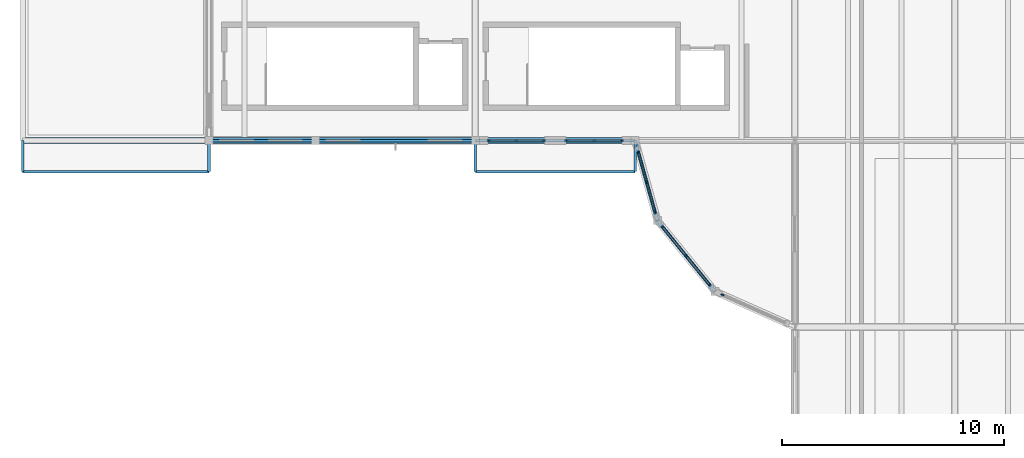
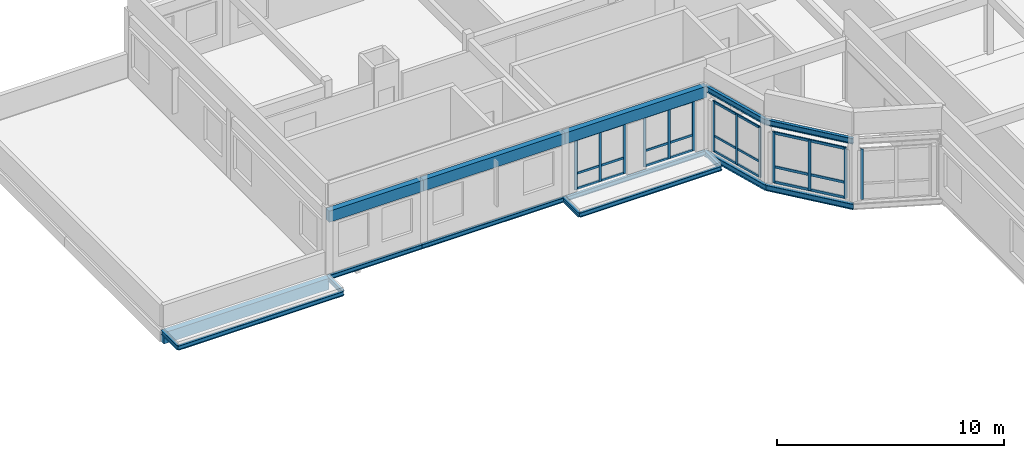
# One storey, part 9 of 21: 25 members, 17 beams, 5 elements without a shape of their own.
"""IFC4 building model written with IfcOpenShell, lengths in metres."""

import ifcopenshell
import ifcopenshell.guid

model = None  # the IFC model being written
_history = None  # IfcOwnerHistory: only IFC2X3 demands one
_inside = {}  # id of a spatial element -> (the spatial element, [elements in it])
_under = {}  # id of a project, library or spatial element -> (it, [spatial elements below it])
_declared = {}  # id of a project -> (the project, [libraries it declares])
_typed = {}  # id of a type object -> (the type object, [elements of that type])
_made_of = {}  # id of a material, layer set ... -> (it, [elements and type objects made of it])


def new_model(schema):
    """Start an empty IFC model of exactly this schema.

    Asked for "IFC4X3", IfcOpenShell would pick the latest addendum, in which some entities
    have other attributes; the version numbers below select the first issue.
    IFC2X3 requires an IfcOwnerHistory on every rooted entity: one is made here for all.
    """
    global model, _history
    if schema == "IFC4X3":
        model = ifcopenshell.file(schema_version=(4, 3, 0, 0))
    else:
        model = ifcopenshell.file(schema=schema)
    _inside.clear()
    _under.clear()
    _declared.clear()
    _typed.clear()
    _made_of.clear()
    _history = None
    if model.schema == "IFC2X3":
        org = make("IfcOrganization", Name="unknown")
        user = make(
            "IfcPersonAndOrganization",
            ThePerson=make("IfcPerson", FamilyName="unknown"),
            TheOrganization=org,
        )
        app = make(
            "IfcApplication",
            ApplicationDeveloper=org,
            Version="unknown",
            ApplicationFullName="unknown",
            ApplicationIdentifier="unknown",
        )
        _history = make(
            "IfcOwnerHistory",
            OwningUser=user,
            OwningApplication=app,
            ChangeAction="ADDED",
            CreationDate=0,
        )
    return model


def make(cls, **values):
    """One entity of the class cls with the attributes given. An attribute that is None is left unset."""
    return model.create_entity(
        cls, **{name: value for name, value in values.items() if value is not None}
    )


def rooted(cls, **values):
    """An entity with a GlobalId (a new one), such as an element, a storey or a relation."""
    return make(cls, GlobalId=ifcopenshell.guid.new(), OwnerHistory=_history, **values)


def si_unit(unit_type, name, prefix=None):
    """IfcSIUnit, for example si_unit("LENGTHUNIT", "METRE", prefix="MILLI")."""
    return make("IfcSIUnit", UnitType=unit_type, Prefix=prefix, Name=name)


def assignment(units):
    """IfcUnitAssignment: the units of a project."""
    return None if units is None else make("IfcUnitAssignment", Units=units)


def point(xyz):
    """IfcCartesianPoint."""
    return None if xyz is None else make("IfcCartesianPoint", Coordinates=xyz)


def direction(xyz):
    """IfcDirection."""
    return None if xyz is None else make("IfcDirection", DirectionRatios=xyz)


def frame(location, z_axis=None, x_axis=None):
    """IfcAxis2Placement3D, a coordinate frame: its origin and axes. An axis left out is left unset."""
    return make(
        "IfcAxis2Placement3D",
        Location=point(location),
        Axis=direction(z_axis),
        RefDirection=direction(x_axis),
    )


def frame_2d(location, x_axis=None):
    """IfcAxis2Placement2D, a coordinate frame in the plane: its origin and x axis."""
    return make(
        "IfcAxis2Placement2D", Location=point(location), RefDirection=direction(x_axis)
    )


def origin():
    """The frame at (0, 0, 0) with its axes left unset."""
    return frame((0.0, 0.0, 0.0))


def origin_2d():
    """The frame at (0, 0) in the plane with its x axis left unset."""
    return frame_2d((0.0, 0.0))


def place(relative_to, where):
    """IfcLocalPlacement: puts the frame where relative to a parent placement (None: the world)."""
    return make(
        "IfcLocalPlacement", PlacementRelTo=relative_to, RelativePlacement=where
    )


def context(
    kind, dimensions, precision=None, world=None, true_north=None, identifier=None
):
    """IfcGeometricRepresentationContext, for example the 3D "Model" context."""
    return make(
        "IfcGeometricRepresentationContext",
        ContextIdentifier=identifier,
        ContextType=kind,
        CoordinateSpaceDimension=dimensions,
        Precision=precision,
        WorldCoordinateSystem=world,
        TrueNorth=true_north,
    )


def subcontext(parent, identifier, kind, view, scale=None):
    """IfcGeometricRepresentationSubContext, for example "Body" below "Model"."""
    return make(
        "IfcGeometricRepresentationSubContext",
        ContextIdentifier=identifier,
        ContextType=kind,
        ParentContext=parent,
        TargetScale=scale,
        TargetView=view,
    )


def project(units=None, contexts=None):
    """IfcProject with its units and contexts."""
    return rooted(
        "IfcProject",
        Name="project",
        RepresentationContexts=contexts,
        UnitsInContext=assignment(units),
    )


def spatial(cls, under=None, at=None, **own):
    """A site, building, storey or space (cls), placed at a placement, below another one or the project."""
    s = rooted(cls, ObjectPlacement=at, **own)
    if under is not None:
        _under.setdefault(under.id(), (under, []))[1].append(s)
    return s


def profile(cls, at=None, kind="AREA", **sizes):
    """A parametric profile (cls). Its sizes go by their IFC names, for example OverallWidth=200.0."""
    return make(cls, ProfileType=kind, Position=at, **sizes)


def rectangle(**sizes):
    """IfcRectangleProfileDef."""
    return profile("IfcRectangleProfileDef", **sizes)


def i_section(**sizes):
    """IfcIShapeProfileDef."""
    return profile("IfcIShapeProfileDef", **sizes)


def extrude(swept, where, along, depth):
    """IfcExtrudedAreaSolid: the profile swept, set in the frame where, extruded along a direction by depth."""
    return make(
        "IfcExtrudedAreaSolid",
        SweptArea=swept,
        Position=where,
        ExtrudedDirection=direction(along),
        Depth=depth,
    )


def shape(context_of_items, identifier, shape_type, items):
    """IfcShapeRepresentation: the items that make up one representation, for example the "Body"."""
    return make(
        "IfcShapeRepresentation",
        ContextOfItems=context_of_items,
        RepresentationIdentifier=identifier,
        RepresentationType=shape_type,
        Items=items,
    )


def material(Name=None, Category=None):
    """IfcMaterial."""
    return make("IfcMaterial", Name=Name, Category=Category)


def material_profile(
    of_material, cross_section, Name=None, Category=None, Priority=None
):
    """IfcMaterialProfile: a cross section and its material."""
    return make(
        "IfcMaterialProfile",
        Name=Name,
        Material=of_material,
        Profile=cross_section,
        Priority=Priority,
        Category=Category,
    )


def profile_set(profiles, Name=None, composite=None):
    """IfcMaterialProfileSet."""
    return make(
        "IfcMaterialProfileSet",
        Name=Name,
        MaterialProfiles=profiles,
        CompositeProfile=composite,
    )


def made_of(thing, what):
    """Note that an element or type object is made of a material, layer set ...; save() writes the relation."""
    if what is not None:
        _made_of.setdefault(what.id(), (what, []))[1].append(thing)
    return thing


def type_object(cls, material=None, **own):
    """A type object (cls), such as IfcWallType, which elements share."""
    return made_of(rooted(cls, **own), material)


def element(
    cls,
    number,
    at=None,
    inside=None,
    cuts=None,
    type_object=None,
    material=None,
    context=None,
    identifier="Body",
    shape_type=None,
    held_by="IfcProductDefinitionShape",
    body=None,
    shapes=None,
    **own,
):
    """One element of the class cls, such as IfcWall. Its Tag is "e" and its number.

    at: its placement. inside: the storey or other place that contains it. cuts: it is an
    opening in that element (IfcRelVoidsElement). A single representation is given by context,
    identifier, shape_type and body (its items); several are given by shapes. held_by: the class
    of the entity that holds the representations. save() writes the other relations.
    """
    e = rooted(cls, Tag="e%d" % number, ObjectPlacement=at, **own)
    if body is not None:
        shapes = [shape(context, identifier, shape_type, body)]
    if shapes is not None:
        e.Representation = make(held_by, Representations=shapes)
    if inside is not None:
        _inside.setdefault(inside.id(), (inside, []))[1].append(e)
    if cuts is not None:
        rooted(
            "IfcRelVoidsElement", RelatingBuildingElement=cuts, RelatedOpeningElement=e
        )
    if type_object is not None:
        _typed.setdefault(type_object.id(), (type_object, []))[1].append(e)
    return made_of(e, material)


def aggregate(whole, parts):
    """IfcRelAggregates: a whole, such as a stair, and the parts it consists of."""
    return rooted("IfcRelAggregates", RelatingObject=whole, RelatedObjects=parts)


def save(model, path):
    """Write the relations noted so far, then the file.

    IfcRelAggregates (storeys below a building ...), IfcRelContainedInSpatialStructure (elements
    in a storey), IfcRelDefinesByType, IfcRelAssociatesMaterial and IfcRelDeclares: one each for
    every whole, place, type object, material and project.
    """
    for whole, parts in _under.values():
        aggregate(whole, parts)
    for where, things in _inside.values():
        rooted(
            "IfcRelContainedInSpatialStructure",
            RelatedElements=things,
            RelatingStructure=where,
        )
    for kind, things in _typed.values():
        rooted("IfcRelDefinesByType", RelatedObjects=things, RelatingType=kind)
    for what, things in _made_of.values():
        rooted("IfcRelAssociatesMaterial", RelatedObjects=things, RelatingMaterial=what)
    for by, libraries in _declared.values():
        rooted("IfcRelDeclares", RelatingContext=by, RelatedDefinitions=libraries)
    model.write(path)


model = new_model("IFC4")

# Units and contexts
model_context = context("Model", 3, precision=1e-05, world=origin(), true_north=direction((0.0, 1.0)))
body_context = subcontext(model_context, "Body", "Model", "MODEL_VIEW")
ifc_project = project(units=[si_unit("LENGTHUNIT", "METRE"), si_unit("AREAUNIT", "SQUARE_METRE"), si_unit("VOLUMEUNIT", "CUBIC_METRE"), si_unit("PLANEANGLEUNIT", "RADIAN"), si_unit("MASSUNIT", "GRAM", prefix="KILO")], contexts=[model_context])

# Site, building, storey
site_placement = place(None, origin())
site = spatial("IfcSite", under=ifc_project, at=site_placement, CompositionType="ELEMENT")
building_placement = place(site_placement, origin())
building = spatial("IfcBuilding", under=site, at=building_placement, Name="Kahlenmark Community Centre", CompositionType="ELEMENT")
storey_placement = place(building_placement, frame((0.0, 0.0, 21.60009765625)))
storey = spatial("IfcBuildingStorey", under=building, at=storey_placement, Name="L05", CompositionType="ELEMENT", Elevation=21.60009765625)

# Beams
ifc_material_1 = material(Name="Glulam GL32h", Category="wood")
ifc_material_profile_1 = material_profile(ifc_material_1, rectangle(XDim=0.280029296875, YDim=0.60009765625, at=origin_2d()), Name="GL32h 280x600")
ifc_profile_set_1 = profile_set([ifc_material_profile_1], Name="Glulam GL32h")
beam_type_1 = type_object("IfcBeamType", Name="BT-BEAM-GL32h280x600", PredefinedType="BEAM", material=ifc_profile_set_1)
beam_1_placement = place(storey_placement, frame((37.60009765625, 97.60009765625, -0.580078125), z_axis=(1.0, 0.0, 0.0), x_axis=(0.0, 1.0, 0.0)))
element("IfcBeam", 1, at=beam_1_placement, inside=storey, type_object=beam_type_1, Name="L05 beam BG-RF600", PredefinedType="BEAM", context=body_context, shape_type="SweptSolid", body=[
    extrude(rectangle(XDim=0.280029296875, YDim=0.60009765625, at=origin_2d()), origin(), (0.0, 0.0, 1.0), 8.39990234375),
])
beam_2_placement = place(storey_placement, frame((46.0, 97.60009765625, 3.02001953125), z_axis=(1.0, 0.0, 0.0), x_axis=(0.0, 1.0, 0.0)))
element("IfcBeam", 2, at=beam_2_placement, inside=storey, type_object=beam_type_1, Name="L05 beam BG-RF600", PredefinedType="BEAM", context=body_context, shape_type="SweptSolid", body=[
    extrude(rectangle(XDim=0.280029296875, YDim=0.60009765625, at=origin_2d()), origin(), (0.0, 0.0, 1.0), 4.800048828125),
])
for number, where, z_axis, x_axis, name in (
    (3, (50.800048828125, 97.60009765625, 3.02001953125), (1.0, 0.0, 0.0), (0.0, 1.0, 0.0), "L05 beam BG-RF600"),
    (4, (58.0, 97.60009765625, 3.02001953125), (1.0, 0.0, 0.0), (0.0, 1.0, 0.0), "L05 beam BG-RF600"),
):
    element("IfcBeam", number, at=place(storey_placement, frame(where, z_axis=z_axis, x_axis=x_axis)), inside=storey, type_object=beam_type_1, Name=name, PredefinedType="BEAM", context=body_context, shape_type="SweptSolid", body=[
        extrude(rectangle(XDim=0.280029296875, YDim=0.60009765625, at=origin_2d()), origin(), (0.0, 0.0, 1.0), 7.199951171875),
    ])
ifc_material_2 = material(Name="Steel S355", Category="steel")
ifc_material_profile_2 = material_profile(ifc_material_2, i_section(OverallWidth=0.1201171875, OverallDepth=0.239990234375, WebThickness=0.006103515625, FlangeThickness=0.009765625, at=origin_2d()), Name="IPE 240")
ifc_profile_set_2 = profile_set([ifc_material_profile_2], Name="Steel S355")
beam_type_2 = type_object("IfcBeamType", Name="BT-BEAM-IPE240", PredefinedType="BEAM", material=ifc_profile_set_2)
for number, where, z_axis, x_axis, name in (
    (5, (37.60009765625, 96.199951171875, -0.300048828125), (0.0, 1.0, 0.0), (-1.0, 0.0, 0.0), "L05 beam BG-IPE240"),
    (6, (46.0, 96.199951171875, -0.300048828125), (0.0, 1.0, 0.0), (-1.0, 0.0, 0.0), "L05 beam BG-IPE240"),
    (7, (58.0, 96.199951171875, -0.300048828125), (0.0, 1.0, 0.0), (-1.0, 0.0, 0.0), "L05 beam BG-IPE240"),
    (8, (65.199951171875, 96.199951171875, -0.320068359375), (0.0, 1.0, 0.0), (-1.0, 0.0, 0.0), "L05 beam BG-IPE240"),
):
    element("IfcBeam", number, at=place(storey_placement, frame(where, z_axis=z_axis, x_axis=x_axis)), inside=storey, type_object=beam_type_2, Name=name, PredefinedType="BEAM", context=body_context, shape_type="SweptSolid", body=[
        extrude(i_section(OverallWidth=0.1201171875, OverallDepth=0.239990234375, WebThickness=0.006103515625, FlangeThickness=0.009765625, at=origin_2d()), origin(), (0.0, 0.0, 1.0), 1.400146484375),
    ])
ifc_material_profile_3 = material_profile(ifc_material_2, i_section(OverallWidth=0.1201171875, OverallDepth=0.239990234375, WebThickness=0.006103515625, FlangeThickness=0.009765625, at=origin_2d()), Name="IPE 240")
ifc_profile_set_3 = profile_set([ifc_material_profile_3], Name="Steel S355")
beam_type_3 = type_object("IfcBeamType", Name="BT-SPANDREL-IPE240", PredefinedType="SPANDREL", material=ifc_profile_set_3)
beam_3_placement = place(storey_placement, frame((46.0, 97.60009765625, -0.320068359375), z_axis=(1.0, 0.0, 0.0), x_axis=(0.0, 1.0, 0.0)))
element("IfcBeam", 9, at=beam_3_placement, inside=storey, type_object=beam_type_3, Name="L05 spandrel SP-IPE240", PredefinedType="SPANDREL", context=body_context, shape_type="SweptSolid", body=[
    extrude(i_section(OverallWidth=0.1201171875, OverallDepth=0.239990234375, WebThickness=0.006103515625, FlangeThickness=0.009765625, at=origin_2d()), origin(), (0.0, 0.0, 1.0), 4.800048828125),
])
for number, where, z_axis, x_axis, name in (
    (10, (50.800048828125, 97.60009765625, -0.320068359375), (1.0, 0.0, 0.0), (0.0, 1.0, 0.0), "L05 spandrel SP-IPE240"),
    (11, (58.0, 97.60009765625, -0.320068359375), (1.0, 0.0, 0.0), (0.0, 1.0, 0.0), "L05 spandrel SP-IPE240"),
):
    element("IfcBeam", number, at=place(storey_placement, frame(where, z_axis=z_axis, x_axis=x_axis)), inside=storey, type_object=beam_type_3, Name=name, PredefinedType="SPANDREL", context=body_context, shape_type="SweptSolid", body=[
        extrude(i_section(OverallWidth=0.1201171875, OverallDepth=0.239990234375, WebThickness=0.006103515625, FlangeThickness=0.009765625, at=origin_2d()), origin(), (0.0, 0.0, 1.0), 7.199951171875),
    ])
beam_4_placement = place(storey_placement, frame((37.60009765625, 96.199951171875, -0.300048828125), z_axis=(1.0, 0.0, 0.0), x_axis=(0.0, 1.0, 0.0)))
element("IfcBeam", 12, at=beam_4_placement, inside=storey, type_object=beam_type_3, Name="L05 spandrel SP-IPE240", PredefinedType="SPANDREL", context=body_context, shape_type="SweptSolid", body=[
    extrude(i_section(OverallWidth=0.1201171875, OverallDepth=0.239990234375, WebThickness=0.006103515625, FlangeThickness=0.009765625, at=origin_2d()), origin(), (0.0, 0.0, 1.0), 8.39990234375),
])
beam_5_placement = place(storey_placement, frame((58.0, 96.199951171875, -0.300048828125), z_axis=(1.0, 0.0, 0.0), x_axis=(0.0, 1.0, 0.0)))
element("IfcBeam", 13, at=beam_5_placement, inside=storey, type_object=beam_type_3, Name="L05 spandrel SP-IPE240", PredefinedType="SPANDREL", context=body_context, shape_type="SweptSolid", body=[
    extrude(i_section(OverallWidth=0.1201171875, OverallDepth=0.239990234375, WebThickness=0.006103515625, FlangeThickness=0.009765625, at=origin_2d()), origin(), (0.0, 0.0, 1.0), 7.199951171875),
])
ifc_material_profile_4 = material_profile(ifc_material_2, i_section(OverallWidth=0.14990234375, OverallDepth=0.300048828125, WebThickness=0.007080078125, FlangeThickness=0.0107421875, at=origin_2d()), Name="IPE 300")
ifc_profile_set_4 = profile_set([ifc_material_profile_4], Name="Steel S355")
beam_type_4 = type_object("IfcBeamType", Name="BT-SPANDREL-IPE300", PredefinedType="SPANDREL", material=ifc_profile_set_4)
beam_6_placement = place(storey_placement, frame((65.199951171875, 97.60009765625, -0.35009765625), z_axis=(0.267637123724, -0.963519781844, 0.0), x_axis=(0.963519781844, 0.267637123724, 0.0)))
element("IfcBeam", 14, at=beam_6_placement, inside=storey, type_object=beam_type_4, Name="L05 spandrel SP-IPE300", PredefinedType="SPANDREL", context=body_context, shape_type="SweptSolid", body=[
    extrude(i_section(OverallWidth=0.14990234375, OverallDepth=0.300048828125, WebThickness=0.007080078125, FlangeThickness=0.0107421875, at=origin_2d()), origin(), (0.0, 0.0, 1.0), 3.736328125),
])
beam_7_placement = place(storey_placement, frame((66.199951171875, 94.0, -0.35009765625), z_axis=(0.630612687458, -0.776097699015, 0.0), x_axis=(0.776097699015, 0.630612687458, 0.0)))
element("IfcBeam", 15, at=beam_7_placement, inside=storey, type_object=beam_type_4, Name="L05 spandrel SP-IPE300", PredefinedType="SPANDREL", context=body_context, shape_type="SweptSolid", body=[
    extrude(i_section(OverallWidth=0.14990234375, OverallDepth=0.300048828125, WebThickness=0.007080078125, FlangeThickness=0.0107421875, at=origin_2d()), origin(), (0.0, 0.0, 1.0), 4.123046875),
])
beam_8_placement = place(storey_placement, frame((65.199951171875, 97.60009765625, 3.169921875), z_axis=(0.267637123724, -0.963519781844, 0.0), x_axis=(0.963519781844, 0.267637123724, 0.0)))
element("IfcBeam", 16, at=beam_8_placement, inside=storey, type_object=beam_type_4, Name="L05 spandrel SP-IPE300", PredefinedType="SPANDREL", context=body_context, shape_type="SweptSolid", body=[
    extrude(i_section(OverallWidth=0.14990234375, OverallDepth=0.300048828125, WebThickness=0.007080078125, FlangeThickness=0.0107421875, at=origin_2d()), origin(), (0.0, 0.0, 1.0), 3.736328125),
])
beam_9_placement = place(storey_placement, frame((66.199951171875, 94.0, 3.169921875), z_axis=(0.630612687458, -0.776097699015, 0.0), x_axis=(0.776097699015, 0.630612687458, 0.0)))
element("IfcBeam", 17, at=beam_9_placement, inside=storey, type_object=beam_type_4, Name="L05 spandrel SP-IPE300", PredefinedType="SPANDREL", context=body_context, shape_type="SweptSolid", body=[
    extrude(i_section(OverallWidth=0.14990234375, OverallDepth=0.300048828125, WebThickness=0.007080078125, FlangeThickness=0.0107421875, at=origin_2d()), origin(), (0.0, 0.0, 1.0), 4.123046875),
])

# Curtain wall, members
ifc_material_3 = material(Name="Anodised aluminium unitised curtain wall", Category="aluminium")
curtain_wall_type_1 = type_object("IfcCurtainWallType", Name="CWT-UNIT-254X271", PredefinedType="USERDEFINED", material=ifc_material_3)
curtain_wall_1_placement = place(storey_placement, origin())
curtain_wall_1 = element("IfcCurtainWall", 18, at=curtain_wall_1_placement, inside=storey, type_object=curtain_wall_type_1, Name="Unitised curtain wall CW-139", ObjectType="UNITISED CURTAIN WALL", PredefinedType="USERDEFINED")
ifc_material_4 = material(Name="Anodised aluminium 6063-T6", Category="aluminium")
ifc_material_profile_5 = material_profile(ifc_material_4, rectangle(XDim=0.06005859375, YDim=0.139892578125, at=origin_2d()), Name="ALU MULLION 60x140")
ifc_profile_set_5 = profile_set([ifc_material_profile_5], Name="Anodised aluminium 6063-T6")
member_type_1 = type_object("IfcMemberType", Name="MT-MUL-140", PredefinedType="MULLION", material=ifc_profile_set_5)
member_1_placement = place(storey_placement, frame((58.610107421875, 97.60009765625, 0.0), z_axis=(0.0, 0.0, 1.0), x_axis=(0.0, 1.0, 0.0)))
member_1 = element("IfcMember", 19, at=member_1_placement, type_object=member_type_1, Name="CW-139 mullion 1", PredefinedType="MULLION", context=body_context, shape_type="SweptSolid", body=[
    extrude(rectangle(XDim=0.06005859375, YDim=0.139892578125, at=origin_2d()), origin(), (0.0, 0.0, 1.0), 2.7099609375),
])
member_2_placement = place(storey_placement, frame((59.85009765625, 97.60009765625, 0.0), z_axis=(0.0, 0.0, 1.0), x_axis=(0.0, 1.0, 0.0)))
member_2 = element("IfcMember", 20, at=member_2_placement, type_object=member_type_1, Name="CW-139 mullion 2", PredefinedType="MULLION", context=body_context, shape_type="SweptSolid", body=[
    extrude(rectangle(XDim=0.06005859375, YDim=0.139892578125, at=origin_2d()), origin(), (0.0, 0.0, 1.0), 2.7099609375),
])
member_3_placement = place(storey_placement, frame((61.090087890625, 97.60009765625, 0.0), z_axis=(0.0, 0.0, 1.0), x_axis=(0.0, 1.0, 0.0)))
member_3 = element("IfcMember", 21, at=member_3_placement, type_object=member_type_1, Name="CW-139 mullion 3", PredefinedType="MULLION", context=body_context, shape_type="SweptSolid", body=[
    extrude(rectangle(XDim=0.06005859375, YDim=0.139892578125, at=origin_2d()), origin(), (0.0, 0.0, 1.0), 2.7099609375),
])

curtain_wall_2_placement = place(storey_placement, origin())
curtain_wall_2 = element("IfcCurtainWall", 22, at=curtain_wall_2_placement, inside=storey, type_object=curtain_wall_type_1, Name="Unitised curtain wall CW-140", ObjectType="UNITISED CURTAIN WALL", PredefinedType="USERDEFINED")
member_4_placement = place(storey_placement, frame((62.110107421875, 97.60009765625, 0.0), z_axis=(0.0, 0.0, 1.0), x_axis=(0.0, 1.0, 0.0)))
member_4 = element("IfcMember", 23, at=member_4_placement, type_object=member_type_1, Name="CW-140 mullion 1", PredefinedType="MULLION", context=body_context, shape_type="SweptSolid", body=[
    extrude(rectangle(XDim=0.06005859375, YDim=0.139892578125, at=origin_2d()), origin(), (0.0, 0.0, 1.0), 2.7099609375),
])
member_5_placement = place(storey_placement, frame((63.35009765625, 97.60009765625, 0.0), z_axis=(0.0, 0.0, 1.0), x_axis=(0.0, 1.0, 0.0)))
member_5 = element("IfcMember", 24, at=member_5_placement, type_object=member_type_1, Name="CW-140 mullion 2", PredefinedType="MULLION", context=body_context, shape_type="SweptSolid", body=[
    extrude(rectangle(XDim=0.06005859375, YDim=0.139892578125, at=origin_2d()), origin(), (0.0, 0.0, 1.0), 2.7099609375),
])
member_6_placement = place(storey_placement, frame((64.590087890625, 97.60009765625, 0.0), z_axis=(0.0, 0.0, 1.0), x_axis=(0.0, 1.0, 0.0)))
member_6 = element("IfcMember", 25, at=member_6_placement, type_object=member_type_1, Name="CW-140 mullion 3", PredefinedType="MULLION", context=body_context, shape_type="SweptSolid", body=[
    extrude(rectangle(XDim=0.06005859375, YDim=0.139892578125, at=origin_2d()), origin(), (0.0, 0.0, 1.0), 2.7099609375),
])

curtain_wall_type_2 = type_object("IfcCurtainWallType", Name="CWT-UNIT-290X271", PredefinedType="USERDEFINED", material=ifc_material_3)
curtain_wall_3_placement = place(storey_placement, origin())
curtain_wall_3 = element("IfcCurtainWall", 26, at=curtain_wall_3_placement, inside=storey, type_object=curtain_wall_type_2, Name="Unitised curtain wall CW-188", ObjectType="UNITISED CURTAIN WALL", PredefinedType="USERDEFINED")
member_7_placement = place(storey_placement, frame((65.341796875, 97.08935546875, 0.0), z_axis=(0.0, 0.0, 1.0), x_axis=(0.963515158188, 0.26765376878, 0.0)))
member_7 = element("IfcMember", 27, at=member_7_placement, type_object=member_type_1, Name="CW-188 mullion 1", PredefinedType="MULLION", context=body_context, shape_type="SweptSolid", body=[
    extrude(rectangle(XDim=0.06005859375, YDim=0.139892578125, at=origin_2d()), origin(), (0.0, 0.0, 1.0), 2.7099609375),
])
member_8_placement = place(storey_placement, frame((65.721435546875, 95.722900390625, 0.0), z_axis=(0.0, 0.0, 1.0), x_axis=(0.963515158188, 0.26765376878, 0.0)))
member_8 = element("IfcMember", 28, at=member_8_placement, type_object=member_type_1, Name="CW-188 mullion 2", PredefinedType="MULLION", context=body_context, shape_type="SweptSolid", body=[
    extrude(rectangle(XDim=0.06005859375, YDim=0.139892578125, at=origin_2d()), origin(), (0.0, 0.0, 1.0), 2.7099609375),
])
member_9_placement = place(storey_placement, frame((66.10107421875, 94.3564453125, 0.0), z_axis=(0.0, 0.0, 1.0), x_axis=(0.963515158188, 0.26765376878, 0.0)))
member_9 = element("IfcMember", 29, at=member_9_placement, type_object=member_type_1, Name="CW-188 mullion 3", PredefinedType="MULLION", context=body_context, shape_type="SweptSolid", body=[
    extrude(rectangle(XDim=0.06005859375, YDim=0.139892578125, at=origin_2d()), origin(), (0.0, 0.0, 1.0), 2.7099609375),
])

curtain_wall_type_3 = type_object("IfcCurtainWallType", Name="CWT-UNIT-344X271", PredefinedType="USERDEFINED", material=ifc_material_3)
curtain_wall_4_placement = place(storey_placement, origin())
curtain_wall_4 = element("IfcCurtainWall", 30, at=curtain_wall_4_placement, inside=storey, type_object=curtain_wall_type_3, Name="Unitised curtain wall CW-189", ObjectType="UNITISED CURTAIN WALL", PredefinedType="USERDEFINED")
member_10_placement = place(storey_placement, frame((66.433349609375, 93.712890625, 0.0), z_axis=(0.0, 0.0, 1.0), x_axis=(0.776109145231, 0.63059860029, 0.0)))
member_10 = element("IfcMember", 31, at=member_10_placement, type_object=member_type_1, Name="CW-189 mullion 1", PredefinedType="MULLION", context=body_context, shape_type="SweptSolid", body=[
    extrude(rectangle(XDim=0.06005859375, YDim=0.139892578125, at=origin_2d()), origin(), (0.0, 0.0, 1.0), 2.7099609375),
])
member_11_placement = place(storey_placement, frame((67.5, 92.39990234375, 0.0), z_axis=(0.0, 0.0, 1.0), x_axis=(0.776109145231, 0.63059860029, 0.0)))
member_11 = element("IfcMember", 32, at=member_11_placement, type_object=member_type_1, Name="CW-189 mullion 2", PredefinedType="MULLION", context=body_context, shape_type="SweptSolid", body=[
    extrude(rectangle(XDim=0.06005859375, YDim=0.139892578125, at=origin_2d()), origin(), (0.0, 0.0, 1.0), 2.7099609375),
])
member_12_placement = place(storey_placement, frame((68.566650390625, 91.087158203125, 0.0), z_axis=(0.0, 0.0, 1.0), x_axis=(0.776109145231, 0.63059860029, 0.0)))
member_12 = element("IfcMember", 33, at=member_12_placement, type_object=member_type_1, Name="CW-189 mullion 3", PredefinedType="MULLION", context=body_context, shape_type="SweptSolid", body=[
    extrude(rectangle(XDim=0.06005859375, YDim=0.139892578125, at=origin_2d()), origin(), (0.0, 0.0, 1.0), 2.7099609375),
])

# Curtain wall, member
curtain_wall_type_4 = type_object("IfcCurtainWallType", Name="CWT-UNIT-310X271", PredefinedType="USERDEFINED", material=ifc_material_3)
curtain_wall_5_placement = place(storey_placement, origin())
curtain_wall_5 = element("IfcCurtainWall", 34, at=curtain_wall_5_placement, inside=storey, type_object=curtain_wall_type_4, Name="Unitised curtain wall CW-190", ObjectType="UNITISED CURTAIN WALL", PredefinedType="USERDEFINED")
member_13_placement = place(storey_placement, frame((69.13818359375, 90.649658203125, 0.0), z_axis=(0.0, 0.0, 1.0), x_axis=(0.406125882643, 0.913817141143, 0.0)))
member_13 = element("IfcMember", 35, at=member_13_placement, type_object=member_type_1, Name="CW-190 mullion 1", PredefinedType="MULLION", context=body_context, shape_type="SweptSolid", body=[
    extrude(rectangle(XDim=0.06005859375, YDim=0.139892578125, at=origin_2d()), origin(), (0.0, 0.0, 1.0), 2.7099609375),
])
aggregate(curtain_wall_5, [member_13])

# Member
ifc_material_profile_6 = material_profile(ifc_material_4, rectangle(XDim=0.06005859375, YDim=0.1201171875, at=origin_2d()), Name="ALU TRANSOM 60x120")
ifc_profile_set_6 = profile_set([ifc_material_profile_6], Name="Anodised aluminium 6063-T6")
member_type_2 = type_object("IfcMemberType", Name="MT-TRN-120", PredefinedType="USERDEFINED", material=ifc_profile_set_6)
member_14_placement = place(storey_placement, frame((58.610107421875, 97.60009765625, 0.039794921875), z_axis=(1.0, 0.0, 0.0), x_axis=(0.0, 1.0, 0.0)))
member_14 = element("IfcMember", 36, at=member_14_placement, type_object=member_type_2, Name="CW-139 transom 1", ObjectType="TRANSOM", PredefinedType="USERDEFINED", context=body_context, shape_type="SweptSolid", body=[
    extrude(rectangle(XDim=0.06005859375, YDim=0.1201171875, at=origin_2d()), origin(), (0.0, 0.0, 1.0), 2.47998046875),
])

member_15_placement = place(storey_placement, frame((58.610107421875, 97.60009765625, 0.849853515625), z_axis=(1.0, 0.0, 0.0), x_axis=(0.0, 1.0, 0.0)))
member_15 = element("IfcMember", 37, at=member_15_placement, type_object=member_type_2, Name="CW-139 transom 2", ObjectType="TRANSOM", PredefinedType="USERDEFINED", context=body_context, shape_type="SweptSolid", body=[
    extrude(rectangle(XDim=0.06005859375, YDim=0.1201171875, at=origin_2d()), origin(), (0.0, 0.0, 1.0), 2.47998046875),
])

member_16_placement = place(storey_placement, frame((58.610107421875, 97.60009765625, 2.669921875), z_axis=(1.0, 0.0, 0.0), x_axis=(0.0, 1.0, 0.0)))
member_16 = element("IfcMember", 38, at=member_16_placement, type_object=member_type_2, Name="CW-139 transom 3", ObjectType="TRANSOM", PredefinedType="USERDEFINED", context=body_context, shape_type="SweptSolid", body=[
    extrude(rectangle(XDim=0.06005859375, YDim=0.1201171875, at=origin_2d()), origin(), (0.0, 0.0, 1.0), 2.47998046875),
])

aggregate(curtain_wall_1, [member_1, member_2, member_3, member_14, member_15, member_16])

member_17_placement = place(storey_placement, frame((62.110107421875, 97.60009765625, 0.039794921875), z_axis=(1.0, 0.0, 0.0), x_axis=(0.0, 1.0, 0.0)))
member_17 = element("IfcMember", 39, at=member_17_placement, type_object=member_type_2, Name="CW-140 transom 1", ObjectType="TRANSOM", PredefinedType="USERDEFINED", context=body_context, shape_type="SweptSolid", body=[
    extrude(rectangle(XDim=0.06005859375, YDim=0.1201171875, at=origin_2d()), origin(), (0.0, 0.0, 1.0), 2.47998046875),
])

member_18_placement = place(storey_placement, frame((62.110107421875, 97.60009765625, 0.849853515625), z_axis=(1.0, 0.0, 0.0), x_axis=(0.0, 1.0, 0.0)))
member_18 = element("IfcMember", 40, at=member_18_placement, type_object=member_type_2, Name="CW-140 transom 2", ObjectType="TRANSOM", PredefinedType="USERDEFINED", context=body_context, shape_type="SweptSolid", body=[
    extrude(rectangle(XDim=0.06005859375, YDim=0.1201171875, at=origin_2d()), origin(), (0.0, 0.0, 1.0), 2.47998046875),
])

member_19_placement = place(storey_placement, frame((62.110107421875, 97.60009765625, 2.669921875), z_axis=(1.0, 0.0, 0.0), x_axis=(0.0, 1.0, 0.0)))
member_19 = element("IfcMember", 41, at=member_19_placement, type_object=member_type_2, Name="CW-140 transom 3", ObjectType="TRANSOM", PredefinedType="USERDEFINED", context=body_context, shape_type="SweptSolid", body=[
    extrude(rectangle(XDim=0.06005859375, YDim=0.1201171875, at=origin_2d()), origin(), (0.0, 0.0, 1.0), 2.47998046875),
])

aggregate(curtain_wall_2, [member_4, member_5, member_6, member_17, member_18, member_19])

member_20_placement = place(storey_placement, frame((65.341796875, 97.08935546875, 0.039794921875), z_axis=(0.267688256657, -0.963505577175, 0.0), x_axis=(0.963505577175, 0.267688256657, 0.0)))
member_20 = element("IfcMember", 42, at=member_20_placement, type_object=member_type_2, Name="CW-188 transom 1", ObjectType="TRANSOM", PredefinedType="USERDEFINED", context=body_context, shape_type="SweptSolid", body=[
    extrude(rectangle(XDim=0.06005859375, YDim=0.1201171875, at=origin_2d()), origin(), (0.0, 0.0, 1.0), 2.83642578125),
])

member_21_placement = place(storey_placement, frame((65.341796875, 97.08935546875, 0.849853515625), z_axis=(0.267688256657, -0.963505577175, 0.0), x_axis=(0.963505577175, 0.267688256657, 0.0)))
member_21 = element("IfcMember", 43, at=member_21_placement, type_object=member_type_2, Name="CW-188 transom 2", ObjectType="TRANSOM", PredefinedType="USERDEFINED", context=body_context, shape_type="SweptSolid", body=[
    extrude(rectangle(XDim=0.06005859375, YDim=0.1201171875, at=origin_2d()), origin(), (0.0, 0.0, 1.0), 2.83642578125),
])

member_22_placement = place(storey_placement, frame((65.341796875, 97.08935546875, 2.669921875), z_axis=(0.267688256657, -0.963505577175, 0.0), x_axis=(0.963505577175, 0.267688256657, 0.0)))
member_22 = element("IfcMember", 44, at=member_22_placement, type_object=member_type_2, Name="CW-188 transom 3", ObjectType="TRANSOM", PredefinedType="USERDEFINED", context=body_context, shape_type="SweptSolid", body=[
    extrude(rectangle(XDim=0.06005859375, YDim=0.1201171875, at=origin_2d()), origin(), (0.0, 0.0, 1.0), 2.83642578125),
])

aggregate(curtain_wall_3, [member_7, member_8, member_9, member_20, member_21, member_22])

ifc_material_profile_7 = material_profile(ifc_material_4, rectangle(XDim=0.06005859375, YDim=0.139892578125, at=origin_2d()), Name="ALU TRANSOM 60x140")
ifc_profile_set_7 = profile_set([ifc_material_profile_7], Name="Anodised aluminium 6063-T6")
member_type_3 = type_object("IfcMemberType", Name="MT-TRN-140", PredefinedType="USERDEFINED", material=ifc_profile_set_7)
member_23_placement = place(storey_placement, frame((66.433349609375, 93.712890625, 0.039794921875), z_axis=(0.630573607431, -0.776129451581, 0.0), x_axis=(0.776129451581, 0.630573607431, 0.0)))
member_23 = element("IfcMember", 45, at=member_23_placement, type_object=member_type_3, Name="CW-189 transom 1", ObjectType="TRANSOM", PredefinedType="USERDEFINED", context=body_context, shape_type="SweptSolid", body=[
    extrude(rectangle(XDim=0.06005859375, YDim=0.139892578125, at=origin_2d()), origin(), (0.0, 0.0, 1.0), 3.383056640625),
])

member_24_placement = place(storey_placement, frame((66.433349609375, 93.712890625, 0.849853515625), z_axis=(0.630573607431, -0.776129451581, 0.0), x_axis=(0.776129451581, 0.630573607431, 0.0)))
member_24 = element("IfcMember", 46, at=member_24_placement, type_object=member_type_3, Name="CW-189 transom 2", ObjectType="TRANSOM", PredefinedType="USERDEFINED", context=body_context, shape_type="SweptSolid", body=[
    extrude(rectangle(XDim=0.06005859375, YDim=0.139892578125, at=origin_2d()), origin(), (0.0, 0.0, 1.0), 3.383056640625),
])

member_25_placement = place(storey_placement, frame((66.433349609375, 93.712890625, 2.669921875), z_axis=(0.630573607431, -0.776129451581, 0.0), x_axis=(0.776129451581, 0.630573607431, 0.0)))
member_25 = element("IfcMember", 47, at=member_25_placement, type_object=member_type_3, Name="CW-189 transom 3", ObjectType="TRANSOM", PredefinedType="USERDEFINED", context=body_context, shape_type="SweptSolid", body=[
    extrude(rectangle(XDim=0.06005859375, YDim=0.139892578125, at=origin_2d()), origin(), (0.0, 0.0, 1.0), 3.383056640625),
])

aggregate(curtain_wall_4, [member_10, member_11, member_12, member_23, member_24, member_25])

save(model, "model.ifc")
